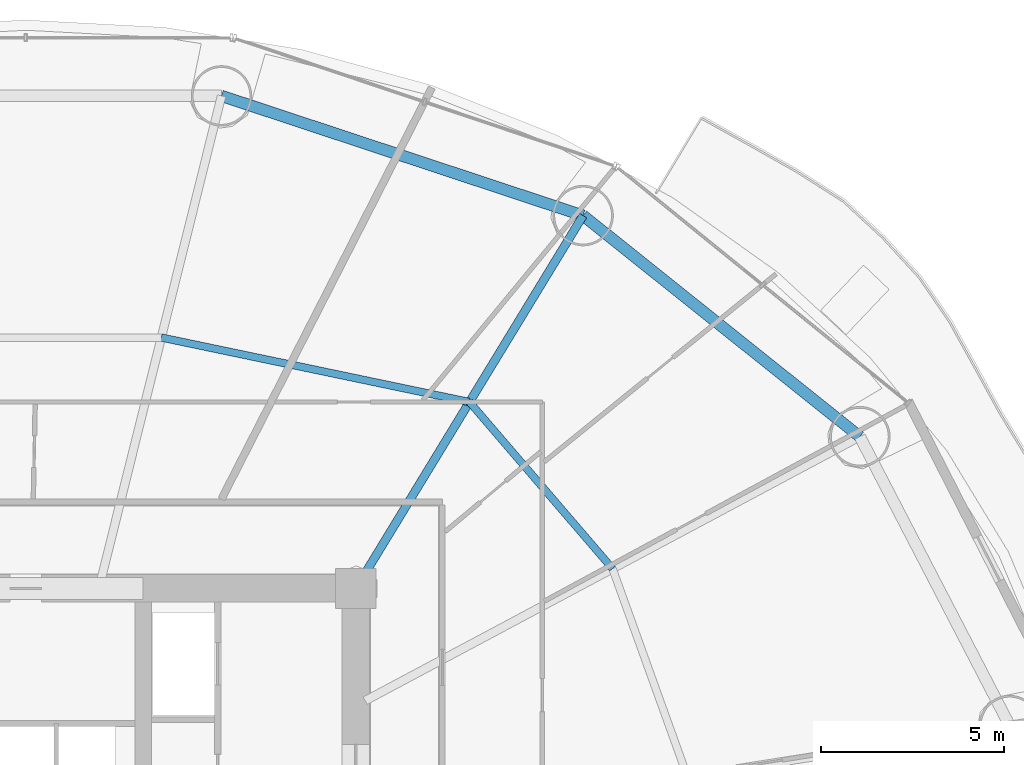
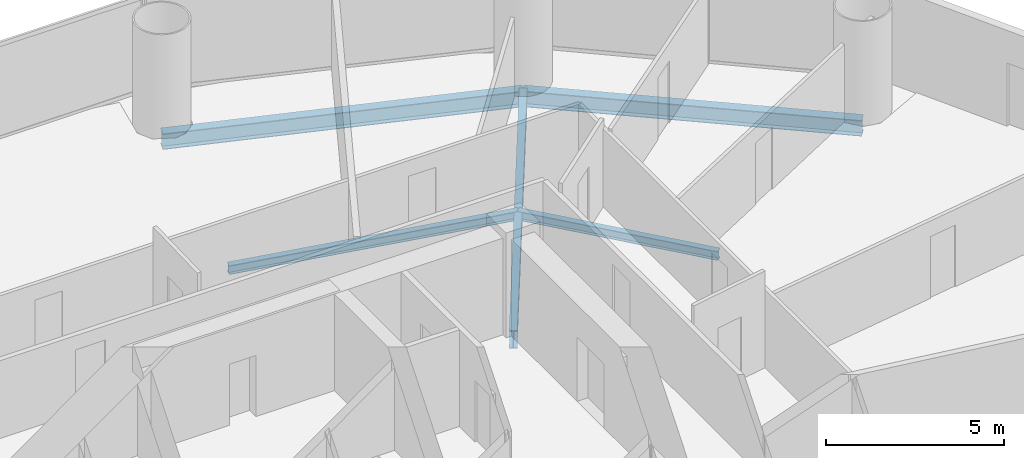
# One storey, part 19 of 30: 5 beams.
"""IFC4 building model written with IfcOpenShell, lengths in metres."""

from ifc_helpers import new_model, si_unit, direction, frame, origin, origin_2d, place, context, subcontext, project, spatial, i_section, extrude, material, material_profile, profile_set, type_object, element, save


model = new_model("IFC4")

# Units and contexts
model_context = context("Model", 3, precision=1e-05, world=origin(), true_north=direction((-0.2419218956, 0.970295726276)))
body_context = subcontext(model_context, "Body", "Model", "MODEL_VIEW")
ifc_project = project(units=[si_unit("LENGTHUNIT", "METRE"), si_unit("AREAUNIT", "SQUARE_METRE"), si_unit("VOLUMEUNIT", "CUBIC_METRE"), si_unit("PLANEANGLEUNIT", "RADIAN"), si_unit("MASSUNIT", "GRAM", prefix="KILO")], contexts=[model_context])

# Site, building, storey
site_placement = place(None, origin())
site = spatial("IfcSite", under=ifc_project, at=site_placement, CompositionType="ELEMENT")
building_placement = place(site_placement, origin())
building = spatial("IfcBuilding", under=site, at=building_placement, Name="Cobrevalo Terracotta Tower", CompositionType="ELEMENT")
storey_placement = place(building_placement, frame((0.0, 0.0, 31.199951171875)))
storey = spatial("IfcBuildingStorey", under=building, at=storey_placement, Name="L07", CompositionType="ELEMENT", Elevation=31.199951171875)

# Beams
ifc_material = material(Name="Steel S355", Category="steel")
ifc_material_profile_1 = material_profile(ifc_material, i_section(OverallWidth=0.22998046875, OverallDepth=0.616943359375, WebThickness=0.01318359375, FlangeThickness=0.022216796875, at=origin_2d()), Name="W 610x140")
ifc_profile_set_1 = profile_set([ifc_material_profile_1], Name="Steel S355")
beam_type_1 = type_object("IfcBeamType", Name="Structural Beam W 610x140 (Steel S355)", PredefinedType="BEAM", material=ifc_profile_set_1)
beam_1_placement = place(storey_placement, frame((53.19482421875, 44.967529296875, -0.58837890625), z_axis=(-0.520309892051, -0.853977526773, 0.0), x_axis=(0.853977526773, -0.520309892051, 0.0)))
element("IfcBeam", 1, at=beam_1_placement, inside=storey, type_object=beam_type_1, Name="L07 radial floor girder 03", PredefinedType="BEAM", context=body_context, shape_type="SweptSolid", body=[
    extrude(i_section(OverallWidth=0.22998046875, OverallDepth=0.616943359375, WebThickness=0.01318359375, FlangeThickness=0.022216796875, at=origin_2d()), origin(), (0.0, 0.0, 1.0), 11.906005859375),
])
ifc_material_profile_2 = material_profile(ifc_material, i_section(OverallWidth=0.2041015625, OverallDepth=0.305908203125, WebThickness=0.008544921875, FlangeThickness=0.0146484375, at=origin_2d()), Name="W 310x67")
ifc_profile_set_2 = profile_set([ifc_material_profile_2], Name="Steel S355")
beam_type_2 = type_object("IfcBeamType", Name="Structural Joist W 310x67 (Steel S355)", PredefinedType="JOIST", material=ifc_profile_set_2)
beam_2_placement = place(storey_placement, frame((53.997802734375, 35.33984375, -0.432861328125), z_axis=(-0.651328404454, 0.758795960421, 0.0), x_axis=(-0.758795960421, -0.651328404454, 0.0)))
element("IfcBeam", 2, at=beam_2_placement, inside=storey, type_object=beam_type_2, Name="L07 circumferential secondary floor joist 02", PredefinedType="JOIST", context=body_context, shape_type="SweptSolid", body=[
    extrude(i_section(OverallWidth=0.2041015625, OverallDepth=0.305908203125, WebThickness=0.008544921875, FlangeThickness=0.0146484375, at=origin_2d()), origin(), (0.0, 0.0, 1.0), 5.98828125),
])
beam_3_placement = place(storey_placement, frame((50.097412109375, 39.8837890625, -0.432861328125), z_axis=(-0.978784523904, 0.204892302848, 0.0), x_axis=(-0.204892302848, -0.978784523904, 0.0)))
element("IfcBeam", 3, at=beam_3_placement, inside=storey, type_object=beam_type_2, Name="L07 circumferential secondary floor joist 03", PredefinedType="JOIST", context=body_context, shape_type="SweptSolid", body=[
    extrude(i_section(OverallWidth=0.2041015625, OverallDepth=0.305908203125, WebThickness=0.008544921875, FlangeThickness=0.0146484375, at=origin_2d()), origin(), (0.0, 0.0, 1.0), 8.583984375),
])
ifc_material_profile_3 = material_profile(ifc_material, i_section(OverallWidth=0.31201171875, OverallDepth=0.54296875, WebThickness=0.0126953125, FlangeThickness=0.020263671875, at=origin_2d()), Name="W 530x150")
ifc_profile_set_3 = profile_set([ifc_material_profile_3], Name="Steel S355")
beam_type_3 = type_object("IfcBeamType", Name="Structural Spandrel W 530x150 (Steel S355)", PredefinedType="SPANDREL", material=ifc_profile_set_3)
beam_4_placement = place(storey_placement, frame((60.74072265625, 38.939208984375, -0.551513671875), z_axis=(-0.781292806807, 0.62416468182, 0.0), x_axis=(-0.62416468182, -0.781292806807, 0.0)))
element("IfcBeam", 4, at=beam_4_placement, inside=storey, type_object=beam_type_3, Name="L07 perimeter ring spandrel 02", PredefinedType="SPANDREL", context=body_context, shape_type="SweptSolid", body=[
    extrude(i_section(OverallWidth=0.31201171875, OverallDepth=0.54296875, WebThickness=0.0126953125, FlangeThickness=0.020263671875, at=origin_2d()), origin(), (0.0, 0.0, 1.0), 9.658203125),
])
beam_5_placement = place(storey_placement, frame((53.19482421875, 44.967529296875, -0.551513671875), z_axis=(-0.949365190876, 0.314174687638, 0.0), x_axis=(-0.314174687638, -0.949365190876, 0.0)))
element("IfcBeam", 5, at=beam_5_placement, inside=storey, type_object=beam_type_3, Name="L07 perimeter ring spandrel 03", PredefinedType="SPANDREL", context=body_context, shape_type="SweptSolid", body=[
    extrude(i_section(OverallWidth=0.31201171875, OverallDepth=0.54296875, WebThickness=0.0126953125, FlangeThickness=0.020263671875, at=origin_2d()), origin(), (0.0, 0.0, 1.0), 10.385009765625),
])

save(model, "model.ifc")
